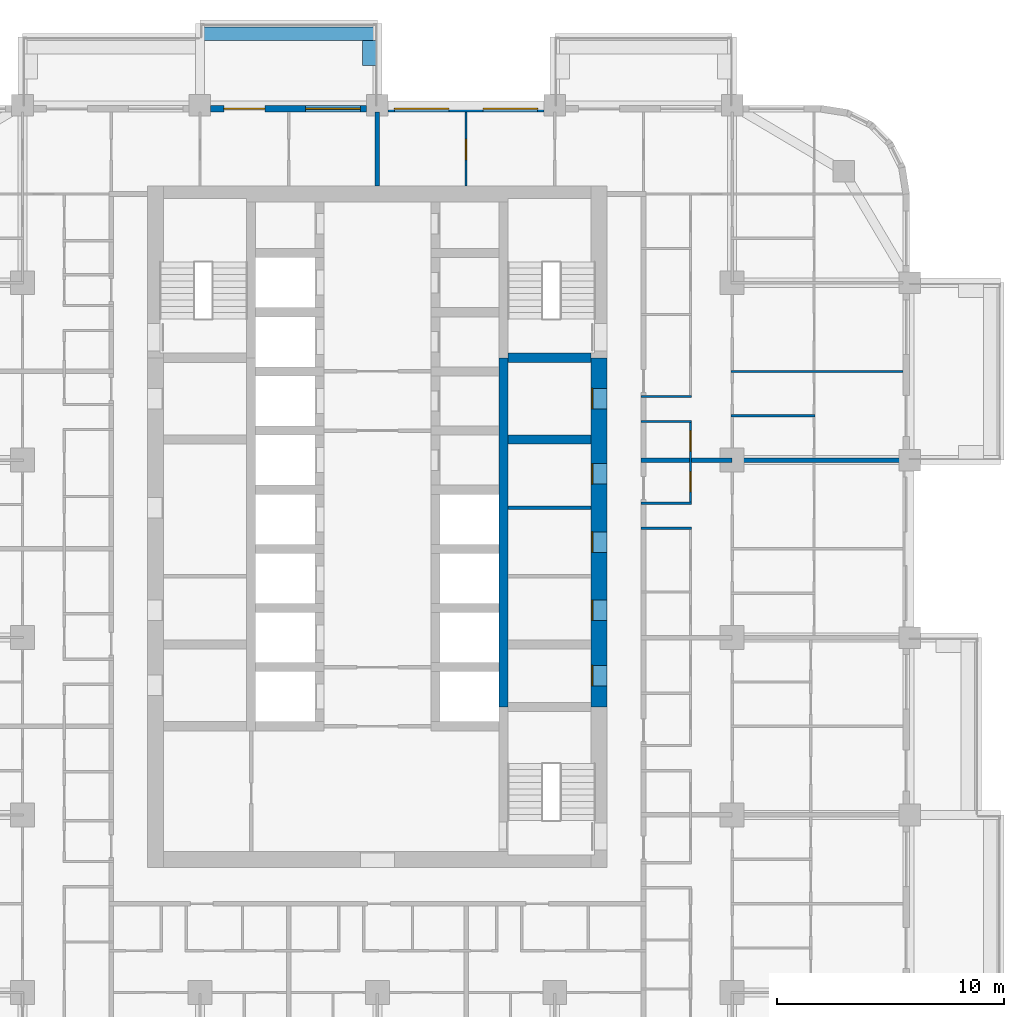
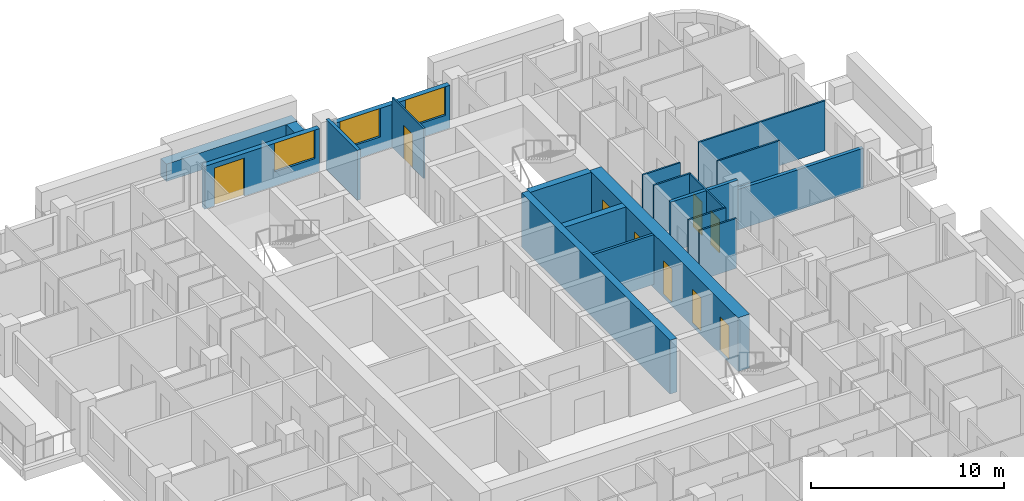
# One storey, part 12 of 18: 20 walls, 9 doors, 3 windows, 12 openings.
"""IFC4 building model written with IfcOpenShell, lengths in metres."""

from ifc_helpers import new_model, si_unit, direction, frame, frame_2d, origin, place, context, subcontext, project, spatial, rectangle, extrude, material, layer, layer_set, type_object, element, fill, save


model = new_model("IFC4")

# Units and contexts
model_context = context("Model", 3, precision=1e-05, world=origin(), true_north=direction((0.0, 1.0)))
body_context = subcontext(model_context, "Body", "Model", "MODEL_VIEW")
ifc_project = project(units=[si_unit("LENGTHUNIT", "METRE"), si_unit("AREAUNIT", "SQUARE_METRE"), si_unit("VOLUMEUNIT", "CUBIC_METRE"), si_unit("PLANEANGLEUNIT", "RADIAN"), si_unit("MASSUNIT", "GRAM", prefix="KILO")], contexts=[model_context])

# Site, building, storey
site_placement = place(None, origin())
site = spatial("IfcSite", under=ifc_project, at=site_placement, CompositionType="ELEMENT")
building_placement = place(site_placement, origin())
building = spatial("IfcBuilding", under=site, at=building_placement, Name="Ludao Terraces", CompositionType="ELEMENT")
storey_placement = place(building_placement, frame((0.0, 0.0, 61.39990234375)))
storey = spatial("IfcBuildingStorey", under=building, at=storey_placement, Name="L16", CompositionType="ELEMENT", Elevation=61.39990234375)

# Wall, openings, doors
ifc_material_1 = material(Name="Concrete C70", Category="concrete")
ifc_layer_1 = layer(ifc_material_1, 0.699951171875)
ifc_layer_set_1 = layer_set([ifc_layer_1], Name="Core wall 700 C70")
wall_type_1 = type_object("IfcWallType", Name="Core wall 700 C70", PredefinedType="SOLIDWALL", material=ifc_layer_set_1)
wall_1_placement = place(storey_placement, frame((94.75, 61.949951171875, -0.25), z_axis=(0.0, 0.0, 1.0), x_axis=(0.0, 1.0, 0.0)))
wall_1 = element("IfcWall", 1, at=wall_1_placement, inside=storey, type_object=wall_type_1, Name="Core wall L16 outer-E", PredefinedType="SOLIDWALL", context=body_context, shape_type="SweptSolid", body=[
    extrude(rectangle(XDim=15.35009765625, YDim=0.699951171875, at=frame_2d((7.675048828125, 0.0))), origin(), (0.0, 0.0, 1.0), 3.400146484375),
])
opening_1_placement = place(wall_1_placement, frame((0.925048828125, 0.0, 0.25)))
opening_1 = element("IfcOpeningElement", 2, at=opening_1_placement, cuts=wall_1, Name="Opening R05-080", PredefinedType="OPENING", context=body_context, shape_type="SweptSolid", body=[
    extrude(rectangle(XDim=0.89990234375, YDim=2.10009765625, at=frame_2d((0.449951171875, 1.050048828125))), frame((0.0, 0.35986328125, 0.0), z_axis=(0.0, -1.0, 0.0), x_axis=(1.0, 0.0, 0.0)), (0.0, 0.0, 1.0), 0.719970703125),
])
opening_2_placement = place(wall_1_placement, frame((3.800048828125, 0.0, 0.25)))
opening_2 = element("IfcOpeningElement", 3, at=opening_2_placement, cuts=wall_1, Name="Opening R05-093", PredefinedType="OPENING", context=body_context, shape_type="SweptSolid", body=[
    extrude(rectangle(XDim=0.89990234375, YDim=2.10009765625, at=frame_2d((0.449951171875, 1.050048828125))), frame((0.0, 0.35986328125, 0.0), z_axis=(0.0, -1.0, 0.0), x_axis=(1.0, 0.0, 0.0)), (0.0, 0.0, 1.0), 0.719970703125),
])
opening_3_placement = place(wall_1_placement, frame((6.800048828125, 0.0, 0.25)))
opening_3 = element("IfcOpeningElement", 4, at=opening_3_placement, cuts=wall_1, Name="Opening R05-101", PredefinedType="OPENING", context=body_context, shape_type="SweptSolid", body=[
    extrude(rectangle(XDim=0.89990234375, YDim=2.10009765625, at=frame_2d((0.449951171875, 1.050048828125))), frame((0.0, 0.35986328125, 0.0), z_axis=(0.0, -1.0, 0.0), x_axis=(1.0, 0.0, 0.0)), (0.0, 0.0, 1.0), 0.719970703125),
])
opening_4_placement = place(wall_1_placement, frame((9.800048828125, 0.0, 0.25)))
opening_4 = element("IfcOpeningElement", 5, at=opening_4_placement, cuts=wall_1, Name="Opening R05-112", PredefinedType="OPENING", context=body_context, shape_type="SweptSolid", body=[
    extrude(rectangle(XDim=0.89990234375, YDim=2.10009765625, at=frame_2d((0.449951171875, 1.050048828125))), frame((0.0, 0.35986328125, 0.0), z_axis=(0.0, -1.0, 0.0), x_axis=(1.0, 0.0, 0.0)), (0.0, 0.0, 1.0), 0.719970703125),
])
opening_5_placement = place(wall_1_placement, frame((13.10009765625, 0.0, 0.25)))
opening_5 = element("IfcOpeningElement", 6, at=opening_5_placement, cuts=wall_1, Name="Opening R05-124", PredefinedType="OPENING", context=body_context, shape_type="SweptSolid", body=[
    extrude(rectangle(XDim=0.89990234375, YDim=2.10009765625, at=frame_2d((0.449951171875, 1.050048828125))), frame((0.0, 0.35986328125, 0.0), z_axis=(0.0, -1.0, 0.0), x_axis=(1.0, 0.0, 0.0)), (0.0, 0.0, 1.0), 0.719970703125),
])
ifc_material_2 = material(Name="Steel Q235", Category="steel")
door_type_1 = type_object("IfcDoorType", Name="INT Riser door 900", OperationType="SINGLE_SWING_LEFT", PredefinedType="DOOR", material=ifc_material_2)
door_1_placement = place(opening_1_placement, origin())
door_1 = element("IfcDoor", 7, at=door_1_placement, inside=storey, type_object=door_type_1, Name="DOOR 080", OperationType="SINGLE_SWING_RIGHT", OverallHeight=2.10009765625, OverallWidth=0.89990234375, PredefinedType="DOOR", context=body_context, shape_type="SweptSolid", body=[
    extrude(rectangle(XDim=0.89990234375, YDim=2.10009765625, at=frame_2d((0.449951171875, 1.050048828125))), frame((0.0, 0.3349609375, 0.0), z_axis=(0.0, -1.0, 0.0), x_axis=(1.0, 0.0, 0.0)), (0.0, 0.0, 1.0), 0.050048828125),
])
fill(opening_1, door_1)
door_2_placement = place(opening_5_placement, origin())
door_2 = element("IfcDoor", 8, at=door_2_placement, inside=storey, type_object=door_type_1, Name="DOOR 124", OperationType="SINGLE_SWING_LEFT", OverallHeight=2.10009765625, OverallWidth=0.89990234375, PredefinedType="DOOR", context=body_context, shape_type="SweptSolid", body=[
    extrude(rectangle(XDim=0.89990234375, YDim=2.10009765625, at=frame_2d((0.449951171875, 1.050048828125))), frame((0.0, 0.3349609375, 0.0), z_axis=(0.0, -1.0, 0.0), x_axis=(1.0, 0.0, 0.0)), (0.0, 0.0, 1.0), 0.050048828125),
])
fill(opening_5, door_2)
ifc_material_3 = material(Name="Timber door leaf", Category="wood")
door_type_2 = type_object("IfcDoorType", Name="INT Room door 900", OperationType="SINGLE_SWING_LEFT", PredefinedType="DOOR", material=ifc_material_3)
door_3_placement = place(opening_2_placement, origin())
door_3 = element("IfcDoor", 9, at=door_3_placement, inside=storey, type_object=door_type_2, Name="DOOR 093", OperationType="SINGLE_SWING_LEFT", OverallHeight=2.10009765625, OverallWidth=0.89990234375, PredefinedType="DOOR", context=body_context, shape_type="SweptSolid", body=[
    extrude(rectangle(XDim=0.89990234375, YDim=2.10009765625, at=frame_2d((0.449951171875, 1.050048828125))), frame((0.0, 0.3349609375, 0.0), z_axis=(0.0, -1.0, 0.0), x_axis=(1.0, 0.0, 0.0)), (0.0, 0.0, 1.0), 0.050048828125),
])
fill(opening_2, door_3)
door_4_placement = place(opening_3_placement, origin())
door_4 = element("IfcDoor", 10, at=door_4_placement, inside=storey, type_object=door_type_2, Name="DOOR 101", OperationType="SINGLE_SWING_RIGHT", OverallHeight=2.10009765625, OverallWidth=0.89990234375, PredefinedType="DOOR", context=body_context, shape_type="SweptSolid", body=[
    extrude(rectangle(XDim=0.89990234375, YDim=2.10009765625, at=frame_2d((0.449951171875, 1.050048828125))), frame((0.0, 0.3349609375, 0.0), z_axis=(0.0, -1.0, 0.0), x_axis=(1.0, 0.0, 0.0)), (0.0, 0.0, 1.0), 0.050048828125),
])
fill(opening_3, door_4)
door_5_placement = place(opening_4_placement, origin())
door_5 = element("IfcDoor", 11, at=door_5_placement, inside=storey, type_object=door_type_2, Name="DOOR 112", OperationType="SINGLE_SWING_RIGHT", OverallHeight=2.10009765625, OverallWidth=0.89990234375, PredefinedType="DOOR", context=body_context, shape_type="SweptSolid", body=[
    extrude(rectangle(XDim=0.89990234375, YDim=2.10009765625, at=frame_2d((0.449951171875, 1.050048828125))), frame((0.0, 0.3349609375, 0.0), z_axis=(0.0, -1.0, 0.0), x_axis=(1.0, 0.0, 0.0)), (0.0, 0.0, 1.0), 0.050048828125),
])
fill(opening_4, door_5)

# Walls
ifc_material_4 = material(Name="Concrete C40", Category="concrete")
ifc_layer_2 = layer(ifc_material_4, 0.60009765625)
ifc_layer_set_2 = layer_set([ifc_layer_2], Name="ENV Planter trough 600")
wall_type_2 = type_object("IfcWallType", Name="ENV Planter trough 600", PredefinedType="USERDEFINED", material=ifc_layer_set_2)
wall_2_placement = place(storey_placement, frame((77.199951171875, 91.550048828125, 0.0), z_axis=(0.0, 0.0, 1.0), x_axis=(1.0, 0.0, 0.0)))
element("IfcWall", 12, at=wall_2_placement, inside=storey, type_object=wall_type_2, Name="PL-L16-N2", ObjectType="PLANTER", PredefinedType="USERDEFINED", context=body_context, shape_type="SweptSolid", body=[
    extrude(rectangle(XDim=7.800048828125, YDim=0.60009765625, at=frame_2d((3.89990234375, 0.0))), origin(), (0.0, 0.0, 1.0), 1.10009765625),
])
wall_3_placement = place(storey_placement, frame((84.64990234375, 91.25, 0.0), z_axis=(0.0, 0.0, 1.0), x_axis=(0.0, -1.0, 0.0)))
element("IfcWall", 13, at=wall_3_placement, inside=storey, type_object=wall_type_2, Name="PL-L16-N2-SB", ObjectType="PLANTER", PredefinedType="USERDEFINED", context=body_context, shape_type="SweptSolid", body=[
    extrude(rectangle(XDim=1.10009765625, YDim=0.60009765625, at=frame_2d((0.550048828125, 0.0))), origin(), (0.0, 0.0, 1.0), 1.10009765625),
])

# Wall, openings, door, window
ifc_material_5 = material(Name="Granite cladding", Category="masonry")
ifc_layer_3 = layer(ifc_material_5, 0.0400390625, Category="stone")
ifc_material_6 = material(Name="Mineral wool")
ifc_layer_4 = layer(ifc_material_6, 0.06005859375)
ifc_layer_5 = layer(ifc_material_4, 0.199951171875, Category="concrete")
ifc_layer_set_3 = layer_set([ifc_layer_3, ifc_layer_4, ifc_layer_5], Name="ENV Stone-clad wall 300")
wall_type_3 = type_object("IfcWallType", Name="ENV Stone-clad wall 300", PredefinedType="SOLIDWALL", material=ifc_layer_set_3)
wall_4_placement = place(storey_placement, frame((77.675048828125, 88.25, 0.0), z_axis=(0.0, 0.0, 1.0), x_axis=(1.0, 0.0, 0.0)))
wall_4 = element("IfcWall", 14, at=wall_4_placement, inside=storey, type_object=wall_type_3, Name="EW-L16-N3", PredefinedType="SOLIDWALL", context=body_context, shape_type="SweptSolid", body=[
    extrude(rectangle(XDim=6.849853515625, YDim=0.300048828125, at=frame_2d((3.4248046875, 0.0))), origin(), (0.0, 0.0, 1.0), 2.7001953125),
])
opening_6_placement = place(wall_4_placement, frame((0.574951171875, 0.0, 0.0)))
opening_6 = element("IfcOpeningElement", 15, at=opening_6_placement, cuts=wall_4, Name="Opening BD", PredefinedType="OPENING", context=body_context, shape_type="SweptSolid", body=[
    extrude(rectangle(XDim=1.800048828125, YDim=2.39990234375, at=frame_2d((0.89990234375, 1.199951171875))), frame((0.0, 0.16015625, 0.0), z_axis=(0.0, -1.0, 0.0), x_axis=(1.0, 0.0, 0.0)), (0.0, 0.0, 1.0), 0.320068359375),
])
opening_7_placement = place(wall_4_placement, frame((4.175048828125, 0.0, 0.89990234375)))
opening_7 = element("IfcOpeningElement", 16, at=opening_7_placement, cuts=wall_4, Name="Opening W1", PredefinedType="OPENING", context=body_context, shape_type="SweptSolid", body=[
    extrude(rectangle(XDim=2.39990234375, YDim=1.800048828125, at=frame_2d((1.199951171875, 0.89990234375))), frame((0.0, 0.16015625, 0.0), z_axis=(0.0, -1.0, 0.0), x_axis=(1.0, 0.0, 0.0)), (0.0, 0.0, 1.0), 0.320068359375),
])
ifc_material_7 = material(Name="Aluminium glazed door", Category="aluminium")
ifc_layer_6 = layer(ifc_material_7, 0.06005859375)
ifc_layer_set_4 = layer_set([ifc_layer_6], Name="ENV Balcony door BD 1800x2400")
door_type_3 = type_object("IfcDoorType", Name="ENV Balcony door BD 1800x2400", OperationType="DOUBLE_DOOR_SINGLE_SWING", PredefinedType="DOOR", material=ifc_layer_set_4)
door_6_placement = place(opening_6_placement, origin())
door_6 = element("IfcDoor", 17, at=door_6_placement, inside=storey, type_object=door_type_3, Name="BD-L16-N3-1", OperationType="DOUBLE_DOOR_SINGLE_SWING", OverallHeight=2.39990234375, OverallWidth=1.800048828125, PredefinedType="DOOR", context=body_context, shape_type="SweptSolid", body=[
    extrude(rectangle(XDim=1.800048828125, YDim=2.39990234375, at=frame_2d((0.89990234375, 1.199951171875))), frame((0.0, 0.02490234375, 0.0), z_axis=(0.0, -1.0, 0.0), x_axis=(1.0, 0.0, 0.0)), (0.0, 0.0, 1.0), 0.050048828125),
])
fill(opening_6, door_6)
ifc_material_8 = material(Name="Clear glass in aluminium frame", Category="aluminium")
ifc_layer_7 = layer(ifc_material_8, 0.06005859375)
ifc_layer_set_5 = layer_set([ifc_layer_7], Name="ENV Window W1 2400x1800")
window_type = type_object("IfcWindowType", Name="ENV Window W1 2400x1800", PartitioningType="DOUBLE_PANEL_VERTICAL", PredefinedType="WINDOW", material=ifc_layer_set_5)
window_1_placement = place(opening_7_placement, origin())
window_1 = element("IfcWindow", 18, at=window_1_placement, inside=storey, type_object=window_type, Name="W-L16-N3-2", OverallHeight=1.800048828125, OverallWidth=2.39990234375, PartitioningType="DOUBLE_PANEL_VERTICAL", PredefinedType="WINDOW", context=body_context, shape_type="SweptSolid", body=[
    extrude(rectangle(XDim=2.39990234375, YDim=1.800048828125, at=frame_2d((1.199951171875, 0.89990234375))), frame((0.0, 0.030029296875, 0.0), z_axis=(0.0, -1.0, 0.0), x_axis=(1.0, 0.0, 0.0)), (0.0, 0.0, 1.0), 0.06005859375),
])
fill(opening_7, window_1)

# Wall, openings, windows
wall_5_placement = place(storey_placement, frame((85.47509765625, 88.25, 0.0), z_axis=(0.0, 0.0, 1.0), x_axis=(1.0, 0.0, 0.0)))
wall_5 = element("IfcWall", 19, at=wall_5_placement, inside=storey, type_object=wall_type_3, Name="EW-L16-N4", PredefinedType="SOLIDWALL", context=body_context, shape_type="SweptSolid", body=[
    extrude(rectangle(XDim=6.849853515625, YDim=0.300048828125, at=frame_2d((3.4248046875, 0.0))), origin(), (0.0, 0.0, 1.0), 2.7001953125),
])
opening_8_placement = place(wall_5_placement, frame((0.27490234375, 0.0, 0.89990234375)))
opening_8 = element("IfcOpeningElement", 20, at=opening_8_placement, cuts=wall_5, Name="Opening W1", PredefinedType="OPENING", context=body_context, shape_type="SweptSolid", body=[
    extrude(rectangle(XDim=2.39990234375, YDim=1.800048828125, at=frame_2d((1.199951171875, 0.89990234375))), frame((0.0, 0.16015625, 0.0), z_axis=(0.0, -1.0, 0.0), x_axis=(1.0, 0.0, 0.0)), (0.0, 0.0, 1.0), 0.320068359375),
])
opening_9_placement = place(wall_5_placement, frame((4.175048828125, 0.0, 0.89990234375)))
opening_9 = element("IfcOpeningElement", 21, at=opening_9_placement, cuts=wall_5, Name="Opening W1", PredefinedType="OPENING", context=body_context, shape_type="SweptSolid", body=[
    extrude(rectangle(XDim=2.39990234375, YDim=1.800048828125, at=frame_2d((1.199951171875, 0.89990234375))), frame((0.0, 0.16015625, 0.0), z_axis=(0.0, -1.0, 0.0), x_axis=(1.0, 0.0, 0.0)), (0.0, 0.0, 1.0), 0.320068359375),
])
window_2_placement = place(opening_8_placement, origin())
window_2 = element("IfcWindow", 22, at=window_2_placement, inside=storey, type_object=window_type, Name="W-L16-N4-1", OverallHeight=1.800048828125, OverallWidth=2.39990234375, PartitioningType="DOUBLE_PANEL_VERTICAL", PredefinedType="WINDOW", context=body_context, shape_type="SweptSolid", body=[
    extrude(rectangle(XDim=2.39990234375, YDim=1.800048828125, at=frame_2d((1.199951171875, 0.89990234375))), frame((0.0, 0.030029296875, 0.0), z_axis=(0.0, -1.0, 0.0), x_axis=(1.0, 0.0, 0.0)), (0.0, 0.0, 1.0), 0.06005859375),
])
fill(opening_8, window_2)
window_3_placement = place(opening_9_placement, origin())
window_3 = element("IfcWindow", 23, at=window_3_placement, inside=storey, type_object=window_type, Name="W-L16-N4-2", OverallHeight=1.800048828125, OverallWidth=2.39990234375, PartitioningType="DOUBLE_PANEL_VERTICAL", PredefinedType="WINDOW", context=body_context, shape_type="SweptSolid", body=[
    extrude(rectangle(XDim=2.39990234375, YDim=1.800048828125, at=frame_2d((1.199951171875, 0.89990234375))), frame((0.0, 0.030029296875, 0.0), z_axis=(0.0, -1.0, 0.0), x_axis=(1.0, 0.0, 0.0)), (0.0, 0.0, 1.0), 0.06005859375),
])
fill(opening_9, window_3)

# Walls
ifc_material_9 = material(Name="Fire-rated gypsum plasterboard", Category="gypsum")
ifc_layer_8 = layer(ifc_material_9, 0.012451171875, Category="gypsum")
ifc_layer_9 = layer(ifc_material_6, 0.10009765625, Name="insulation")
ifc_layer_10 = layer(ifc_material_2, 0.02490234375, Name="stud")
ifc_layer_11 = layer(ifc_material_9, 0.012451171875, Category="gypsum")
ifc_layer_set_6 = layer_set([ifc_layer_8, ifc_layer_9, ifc_layer_10, ifc_layer_11], Name="INT Core partition 150")
wall_type_4 = type_object("IfcWallType", Name="INT Core partition 150", PredefinedType="PARTITIONING", material=ifc_layer_set_6)
wall_6_placement = place(storey_placement, frame((90.75, 70.699951171875, 0.0), z_axis=(0.0, 0.0, 1.0), x_axis=(1.0, 0.0, 0.0)))
element("IfcWall", 24, at=wall_6_placement, inside=storey, type_object=wall_type_4, Name="PW-L16-PW052", PredefinedType="PARTITIONING", context=body_context, shape_type="SweptSolid", body=[
    extrude(rectangle(XDim=3.650146484375, YDim=0.14990234375, at=frame_2d((1.8251953125, 0.0))), origin(), (0.0, 0.0, 1.0), 3.150146484375),
])
ifc_material_10 = material(Name="Gypsum plasterboard", Category="gypsum")
ifc_layer_12 = layer(ifc_material_10, 0.012451171875, Category="gypsum")
ifc_layer_13 = layer(ifc_material_6, 0.06005859375, Name="insulation")
ifc_layer_14 = layer(ifc_material_2, 0.014892578125, Name="stud")
ifc_layer_15 = layer(ifc_material_10, 0.012451171875, Category="gypsum")
ifc_layer_set_7 = layer_set([ifc_layer_12, ifc_layer_13, ifc_layer_14, ifc_layer_15], Name="INT Partition 100")
wall_type_5 = type_object("IfcWallType", Name="INT Partition 100", PredefinedType="PARTITIONING", material=ifc_layer_set_7)
for number, where, z_axis, x_axis, name in (
    (25, (96.60009765625, 69.800048828125, 0.0), (0.0, 0.0, 1.0), (1.0, 0.0, 0.0), "PW-L16-PW051"),
    (26, (96.60009765625, 70.89990234375, 0.0), (0.0, 0.0, 1.0), (1.0, 0.0, 0.0), "PW-L16-PW054"),
    (27, (96.60009765625, 74.5, 0.0), (0.0, 0.0, 1.0), (1.0, 0.0, 0.0), "PW-L16-PW060"),
):
    element("IfcWall", number, at=place(storey_placement, frame(where, z_axis=z_axis, x_axis=x_axis)), inside=storey, type_object=wall_type_5, Name=name, PredefinedType="PARTITIONING", context=body_context, shape_type="SweptSolid", body=[
        extrude(rectangle(XDim=2.219970703125, YDim=0.10009765625, at=frame_2d((1.10986328125, 0.0))), origin(), (0.0, 0.0, 1.0), 3.150146484375),
    ])
wall_7_placement = place(storey_placement, frame((100.550048828125, 74.75, 0.0), z_axis=(0.0, 0.0, 1.0), x_axis=(1.0, 0.0, 0.0)))
element("IfcWall", 28, at=wall_7_placement, inside=storey, type_object=wall_type_5, Name="PW-L16-PW061", PredefinedType="PARTITIONING", context=body_context, shape_type="SweptSolid", body=[
    extrude(rectangle(XDim=3.699951171875, YDim=0.10009765625, at=frame_2d((1.85009765625, 0.0))), origin(), (0.0, 0.0, 1.0), 3.150146484375),
])
wall_8_placement = place(storey_placement, frame((96.60009765625, 75.60009765625, 0.0), z_axis=(0.0, 0.0, 1.0), x_axis=(1.0, 0.0, 0.0)))
element("IfcWall", 29, at=wall_8_placement, inside=storey, type_object=wall_type_5, Name="PW-L16-PW063", PredefinedType="PARTITIONING", context=body_context, shape_type="SweptSolid", body=[
    extrude(rectangle(XDim=2.219970703125, YDim=0.10009765625, at=frame_2d((1.10986328125, 0.0))), origin(), (0.0, 0.0, 1.0), 3.150146484375),
])
wall_9_placement = place(storey_placement, frame((100.550048828125, 76.699951171875, 0.0), z_axis=(0.0, 0.0, 1.0), x_axis=(1.0, 0.0, 0.0)))
element("IfcWall", 30, at=wall_9_placement, inside=storey, type_object=wall_type_5, Name="PW-L16-PW066", PredefinedType="PARTITIONING", context=body_context, shape_type="SweptSolid", body=[
    extrude(rectangle(XDim=7.550048828125, YDim=0.10009765625, at=frame_2d((3.77490234375, 0.0))), origin(), (0.0, 0.0, 1.0), 3.150146484375),
])

# Wall, opening, door
wall_10_placement = place(storey_placement, frame((88.89990234375, 84.85009765625, 0.0), z_axis=(0.0, 0.0, 1.0), x_axis=(0.0, 1.0, 0.0)))
wall_10 = element("IfcWall", 31, at=wall_10_placement, inside=storey, type_object=wall_type_5, Name="PW-L16-PW110", PredefinedType="PARTITIONING", context=body_context, shape_type="SweptSolid", body=[
    extrude(rectangle(XDim=3.25, YDim=0.10009765625, at=frame_2d((1.625, 0.0))), origin(), (0.0, 0.0, 1.0), 3.150146484375),
])
opening_10_placement = place(wall_10_placement, frame((1.14990234375, 0.0, 0.0)))
opening_10 = element("IfcOpeningElement", 32, at=opening_10_placement, cuts=wall_10, Name="Opening R05-164", PredefinedType="OPENING", context=body_context, shape_type="SweptSolid", body=[
    extrude(rectangle(XDim=0.89990234375, YDim=2.10009765625, at=frame_2d((0.449951171875, 1.050048828125))), frame((0.0, 0.06005859375, 0.0), z_axis=(0.0, -1.0, 0.0), x_axis=(1.0, 0.0, 0.0)), (0.0, 0.0, 1.0), 0.1201171875),
])
door_7_placement = place(opening_10_placement, origin())
door_7 = element("IfcDoor", 33, at=door_7_placement, inside=storey, type_object=door_type_2, Name="DOOR 164", OperationType="SINGLE_SWING_LEFT", OverallHeight=2.10009765625, OverallWidth=0.89990234375, PredefinedType="DOOR", context=body_context, shape_type="SweptSolid", body=[
    extrude(rectangle(XDim=0.89990234375, YDim=2.10009765625, at=frame_2d((0.449951171875, 1.050048828125))), frame((0.0, 0.02490234375, 0.0), z_axis=(0.0, -1.0, 0.0), x_axis=(1.0, 0.0, 0.0)), (0.0, 0.0, 1.0), 0.050048828125),
])
fill(opening_10, door_7)

# Wall, openings, doors
wall_11_placement = place(storey_placement, frame((98.77001953125, 70.9501953125, 0.0), z_axis=(0.0, 0.0, 1.0), x_axis=(0.0, 1.0, 0.0)))
wall_11 = element("IfcWall", 34, at=wall_11_placement, inside=storey, type_object=wall_type_5, Name="PW-L16-PW123", PredefinedType="PARTITIONING", context=body_context, shape_type="SweptSolid", body=[
    extrude(rectangle(XDim=3.5, YDim=0.10009765625, at=frame_2d((1.75, 0.0))), origin(), (0.0, 0.0, 1.0), 3.150146484375),
])
opening_11_placement = place(wall_11_placement, frame((0.449951171875, 0.0, 0.0)))
opening_11 = element("IfcOpeningElement", 35, at=opening_11_placement, cuts=wall_11, Name="Opening R05-111", PredefinedType="OPENING", context=body_context, shape_type="SweptSolid", body=[
    extrude(rectangle(XDim=0.89990234375, YDim=2.10009765625, at=frame_2d((0.449951171875, 1.050048828125))), frame((0.0, 0.06005859375, 0.0), z_axis=(0.0, -1.0, 0.0), x_axis=(1.0, 0.0, 0.0)), (0.0, 0.0, 1.0), 0.1201171875),
])
opening_12_placement = place(wall_11_placement, frame((2.25, 0.0, 0.0)))
opening_12 = element("IfcOpeningElement", 36, at=opening_12_placement, cuts=wall_11, Name="Opening R05-116", PredefinedType="OPENING", context=body_context, shape_type="SweptSolid", body=[
    extrude(rectangle(XDim=0.89990234375, YDim=2.10009765625, at=frame_2d((0.449951171875, 1.050048828125))), frame((0.0, 0.06005859375, 0.0), z_axis=(0.0, -1.0, 0.0), x_axis=(1.0, 0.0, 0.0)), (0.0, 0.0, 1.0), 0.1201171875),
])
door_type_4 = type_object("IfcDoorType", Name="INT Bathroom door 900", OperationType="SINGLE_SWING_LEFT", PredefinedType="DOOR", material=ifc_material_3)
door_8_placement = place(opening_11_placement, origin())
door_8 = element("IfcDoor", 37, at=door_8_placement, inside=storey, type_object=door_type_4, Name="DOOR 111", OperationType="SINGLE_SWING_RIGHT", OverallHeight=2.10009765625, OverallWidth=0.89990234375, PredefinedType="DOOR", context=body_context, shape_type="SweptSolid", body=[
    extrude(rectangle(XDim=0.89990234375, YDim=2.10009765625, at=frame_2d((0.449951171875, 1.050048828125))), frame((0.0, 0.02490234375, 0.0), z_axis=(0.0, -1.0, 0.0), x_axis=(1.0, 0.0, 0.0)), (0.0, 0.0, 1.0), 0.050048828125),
])
fill(opening_11, door_8)
door_9_placement = place(opening_12_placement, origin())
door_9 = element("IfcDoor", 38, at=door_9_placement, inside=storey, type_object=door_type_4, Name="DOOR 116", OperationType="SINGLE_SWING_LEFT", OverallHeight=2.10009765625, OverallWidth=0.89990234375, PredefinedType="DOOR", context=body_context, shape_type="SweptSolid", body=[
    extrude(rectangle(XDim=0.89990234375, YDim=2.10009765625, at=frame_2d((0.449951171875, 1.050048828125))), frame((0.0, 0.02490234375, 0.0), z_axis=(0.0, -1.0, 0.0), x_axis=(1.0, 0.0, 0.0)), (0.0, 0.0, 1.0), 0.050048828125),
])
fill(opening_12, door_9)

# Walls
ifc_material_11 = material(Name="Autoclaved aerated concrete block B06 A3.5", Category="concrete")
ifc_layer_16 = layer(ifc_material_11, 0.199951171875)
ifc_layer_set_8 = layer_set([ifc_layer_16], Name="INT Party wall 200")
wall_type_6 = type_object("IfcWallType", Name="INT Party wall 200", PredefinedType="PARTITIONING", material=ifc_layer_set_8)
wall_12_placement = place(storey_placement, frame((96.60009765625, 72.800048828125, 0.0), z_axis=(0.0, 0.0, 1.0), x_axis=(1.0, 0.0, 0.0)))
element("IfcWall", 39, at=wall_12_placement, inside=storey, type_object=wall_type_6, Name="PW-L16-PW057", PredefinedType="PARTITIONING", context=body_context, shape_type="SweptSolid", body=[
    extrude(rectangle(XDim=4.0, YDim=0.199951171875, at=frame_2d((2.0, 0.0))), origin(), (0.0, 0.0, 1.0), 3.150146484375),
])
wall_13_placement = place(storey_placement, frame((100.60009765625, 72.800048828125, 0.0), z_axis=(0.0, 0.0, 1.0), x_axis=(1.0, 0.0, 0.0)))
element("IfcWall", 40, at=wall_13_placement, inside=storey, type_object=wall_type_6, Name="PW-L16-PW057-2", PredefinedType="PARTITIONING", context=body_context, shape_type="SweptSolid", body=[
    extrude(rectangle(XDim=7.5, YDim=0.199951171875, at=frame_2d((3.75, 0.0))), origin(), (0.0, 0.0, 1.0), 2.550048828125),
])
wall_14_placement = place(storey_placement, frame((85.0, 84.85009765625, 0.0), z_axis=(0.0, 0.0, 1.0), x_axis=(0.0, 1.0, 0.0)))
element("IfcWall", 41, at=wall_14_placement, inside=storey, type_object=wall_type_6, Name="PW-L16-PW107", PredefinedType="PARTITIONING", context=body_context, shape_type="SweptSolid", body=[
    extrude(rectangle(XDim=3.25, YDim=0.199951171875, at=frame_2d((1.625, 0.0))), origin(), (0.0, 0.0, 1.0), 3.150146484375),
])
ifc_material_12 = material(Name="Concrete C60", Category="concrete")
ifc_layer_17 = layer(ifc_material_12, 0.39990234375)
ifc_layer_set_9 = layer_set([ifc_layer_17], Name="Shaft wall 400 C60")
wall_type_7 = type_object("IfcWallType", Name="Shaft wall 400 C60", PredefinedType="SOLIDWALL", material=ifc_layer_set_9)
wall_15_placement = place(storey_placement, frame((90.550048828125, 61.949951171875, -0.25), z_axis=(0.0, 0.0, 1.0), x_axis=(0.0, 1.0, 0.0)))
element("IfcWall", 42, at=wall_15_placement, inside=storey, type_object=wall_type_7, Name="Core wall L16 back-E", PredefinedType="SOLIDWALL", context=body_context, shape_type="SweptSolid", body=[
    extrude(rectangle(XDim=15.35009765625, YDim=0.39990234375, at=frame_2d((7.675048828125, 0.0))), origin(), (0.0, 0.0, 1.0), 3.400146484375),
])
for number, where, z_axis, x_axis, name in (
    (43, (90.75, 73.699951171875, -0.25), (0.0, 0.0, 1.0), (1.0, 0.0, 0.0), "Core wall L16 riser-b-E"),
    (44, (90.75, 77.300048828125, -0.25), (0.0, 0.0, 1.0), (1.0, 0.0, 0.0), "Core wall L16 stair-E"),
):
    element("IfcWall", number, at=place(storey_placement, frame(where, z_axis=z_axis, x_axis=x_axis)), inside=storey, type_object=wall_type_7, Name=name, PredefinedType="SOLIDWALL", context=body_context, shape_type="SweptSolid", body=[
        extrude(rectangle(XDim=3.64990234375, YDim=0.39990234375, at=frame_2d((1.824951171875, 0.0))), origin(), (0.0, 0.0, 1.0), 3.400146484375),
    ])

save(model, "model.ifc")
